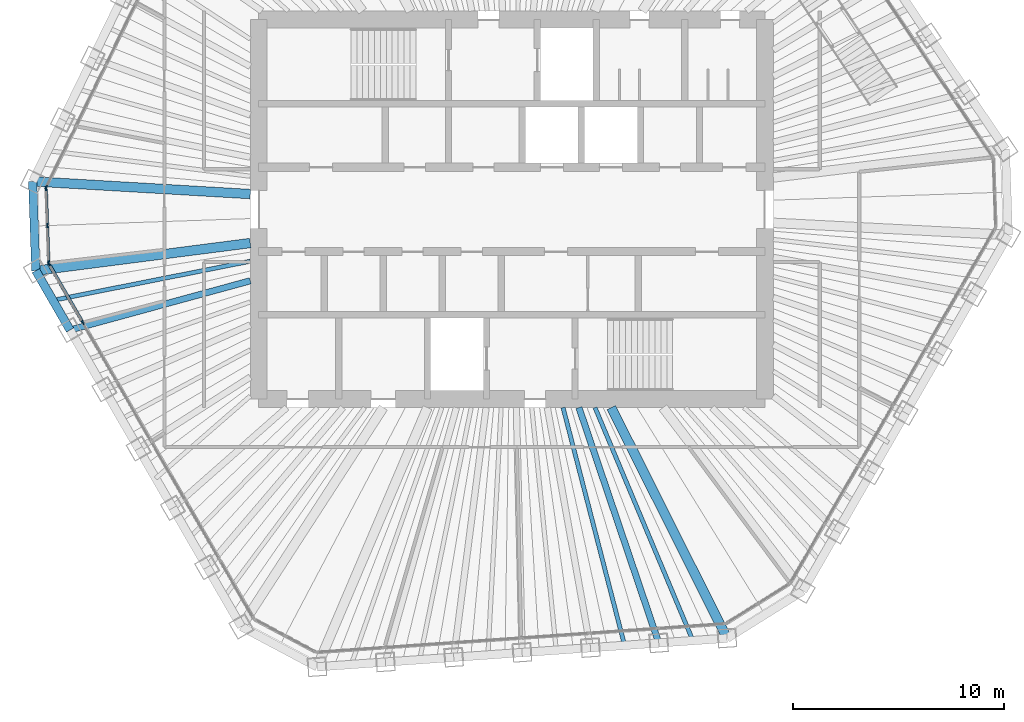
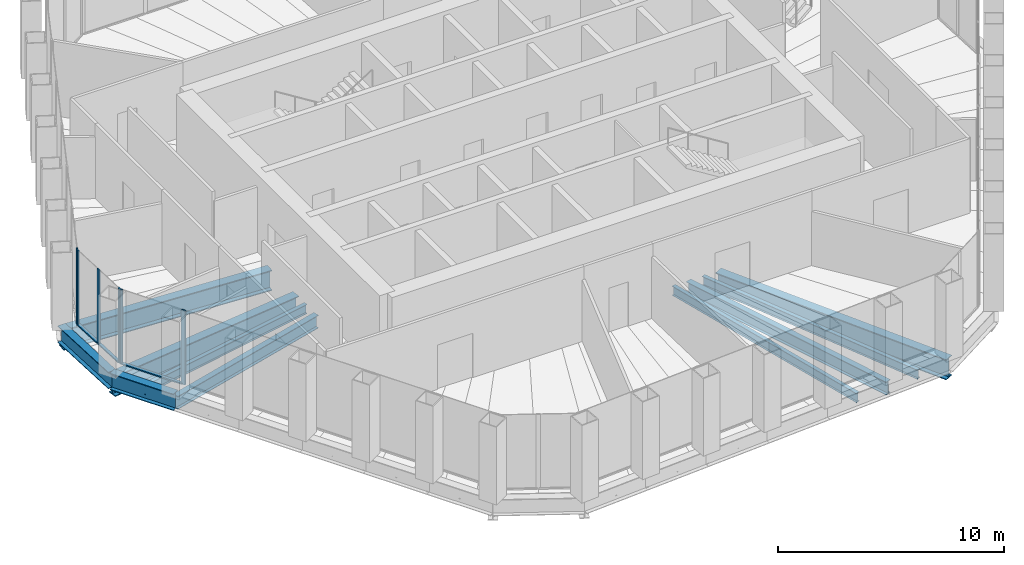
# One storey, part 3 of 14: 10 beams, 9 members, 3 elements without a shape of their own.
"""IFC4 building model written with IfcOpenShell, lengths in metres."""

from ifc_helpers import new_model, si_unit, direction, frame, origin, origin_2d, place, context, subcontext, project, spatial, rectangle, i_section, extrude, material, material_profile, profile_set, type_object, element, aggregate, save


model = new_model("IFC4")

# Units and contexts
model_context = context("Model", 3, precision=1e-05, world=origin(), true_north=direction((0.0, 1.0)))
body_context = subcontext(model_context, "Body", "Model", "MODEL_VIEW")
ifc_project = project(units=[si_unit("LENGTHUNIT", "METRE"), si_unit("AREAUNIT", "SQUARE_METRE"), si_unit("VOLUMEUNIT", "CUBIC_METRE"), si_unit("PLANEANGLEUNIT", "RADIAN"), si_unit("MASSUNIT", "GRAM", prefix="KILO")], contexts=[model_context])

# Site, building, storey
site_placement = place(None, origin())
site = spatial("IfcSite", under=ifc_project, at=site_placement, CompositionType="ELEMENT")
building_placement = place(site_placement, origin())
building = spatial("IfcBuilding", under=site, at=building_placement, Name="Qingtian Harvest Tower", CompositionType="ELEMENT")
storey_placement = place(building_placement, frame((0.0, 0.0, 325.0)))
storey = spatial("IfcBuildingStorey", under=building, at=storey_placement, Name="L72", CompositionType="ELEMENT", Elevation=325.0)

# Beams
ifc_material_1 = material(Name="Steel SM570MC", Category="steel")
ifc_material_profile_1 = material_profile(ifc_material_1, i_section(OverallWidth=0.449951171875, OverallDepth=1.10009765625, WebThickness=0.02197265625, FlangeThickness=0.044921875, at=origin_2d()), Name="H1100x450x22x45")
ifc_profile_set_1 = profile_set([ifc_material_profile_1], Name="Steel SM570MC")
beam_type_1 = type_object("IfcBeamType", Name="Corner floor beam FB8 H1100x450x22x45", PredefinedType="BEAM", material=ifc_profile_set_1)
beam_1_placement = place(storey_placement, frame((10.20947265625, -20.33740234375, -0.719970703125), z_axis=(-0.448649335107, 0.893707879627, 0.0), x_axis=(-0.893707879627, -0.448649335107, 0.0)))
element("IfcBeam", 1, at=beam_1_placement, inside=storey, type_object=beam_type_1, Name="Floor beam FB8 S0", PredefinedType="BEAM", context=body_context, shape_type="SweptSolid", body=[
    extrude(i_section(OverallWidth=0.449951171875, OverallDepth=1.10009765625, WebThickness=0.02197265625, FlangeThickness=0.044921875, at=origin_2d()), origin(), (0.0, 0.0, 1.0), 12.23828125),
])
beam_2_placement = place(storey_placement, frame((-22.569580078125, -2.908447265625, -0.719970703125), z_axis=(0.991798519758, 0.127811174026, 0.0), x_axis=(-0.127811174026, 0.991798519758, 0.0)))
element("IfcBeam", 2, at=beam_2_placement, inside=storey, type_object=beam_type_1, Name="Floor beam FB8 SW6", PredefinedType="BEAM", context=body_context, shape_type="SweptSolid", body=[
    extrude(i_section(OverallWidth=0.449951171875, OverallDepth=1.10009765625, WebThickness=0.02197265625, FlangeThickness=0.044921875, at=origin_2d()), origin(), (0.0, 0.0, 1.0), 10.253662109375),
])
beam_3_placement = place(storey_placement, frame((-22.71728515625, 1.3271484375, -0.719970703125), z_axis=(0.998297672445, -0.058324584791, 0.0), x_axis=(0.058324584791, 0.998297672445, 0.0)))
element("IfcBeam", 3, at=beam_3_placement, inside=storey, type_object=beam_type_1, Name="Floor beam FB8 NW0", PredefinedType="BEAM", context=body_context, shape_type="SweptSolid", body=[
    extrude(i_section(OverallWidth=0.449951171875, OverallDepth=1.10009765625, WebThickness=0.02197265625, FlangeThickness=0.044921875, at=origin_2d()), origin(), (0.0, 0.0, 1.0), 10.3349609375),
])
ifc_material_2 = material(Name="Steel SN490B", Category="steel")
ifc_material_profile_2 = material_profile(ifc_material_2, i_section(OverallWidth=0.300048828125, OverallDepth=0.699951171875, WebThickness=0.012939453125, FlangeThickness=0.02392578125, at=origin_2d()), Name="H700x300x13x24")
ifc_profile_set_2 = profile_set([ifc_material_profile_2], Name="Steel SN490B")
beam_type_2 = type_object("IfcBeamType", Name="Floor beam FB4 H700x300x13x24", PredefinedType="BEAM", material=ifc_profile_set_2)
beam_4_placement = place(storey_placement, frame((6.96923828125, -20.56396484375, -0.52001953125), z_axis=(-0.320964658262, 0.947091172035, 0.0), x_axis=(-0.947091172035, -0.320964658262, 0.0)))
element("IfcBeam", 4, at=beam_4_placement, inside=storey, type_object=beam_type_2, Name="Floor beam FB4 S1", PredefinedType="BEAM", context=body_context, shape_type="SweptSolid", body=[
    extrude(i_section(OverallWidth=0.300048828125, OverallDepth=0.699951171875, WebThickness=0.012939453125, FlangeThickness=0.02392578125, at=origin_2d()), origin(), (0.0, 0.0, 1.0), 11.787841796875),
])
beam_5_placement = place(storey_placement, frame((-20.945556640625, -5.721435546875, -0.52001953125), z_axis=(0.96466071762, 0.26349516102, 0.0), x_axis=(-0.26349516102, 0.96466071762, 0.0)))
element("IfcBeam", 5, at=beam_5_placement, inside=storey, type_object=beam_type_2, Name="Floor beam FB4 SW5", PredefinedType="BEAM", context=body_context, shape_type="SweptSolid", body=[
    extrude(i_section(OverallWidth=0.300048828125, OverallDepth=0.699951171875, WebThickness=0.012939453125, FlangeThickness=0.02392578125, at=origin_2d()), origin(), (0.0, 0.0, 1.0), 8.858642578125),
])
ifc_material_3 = material(Name="Steel SN490B", Category="steel")
ifc_material_profile_3 = material_profile(ifc_material_3, i_section(OverallWidth=0.199951171875, OverallDepth=0.5, WebThickness=0.010009765625, FlangeThickness=0.01611328125, at=origin_2d()), Name="H500x200x10x16")
ifc_profile_set_3 = profile_set([ifc_material_profile_3], Name="Steel SN490B")
beam_type_3 = type_object("IfcBeamType", Name="Floor joist J3 H500x200x10x16", PredefinedType="JOIST", material=ifc_profile_set_3)
beam_6_placement = place(storey_placement, frame((8.58935546875, -20.45068359375, -0.419921875), z_axis=(-0.387234562114, 0.921981232946, 0.0), x_axis=(-0.921981232946, -0.387234562114, 0.0)))
element("IfcBeam", 6, at=beam_6_placement, inside=storey, type_object=beam_type_3, Name="Floor joist J3 S0", PredefinedType="JOIST", context=body_context, shape_type="SweptSolid", body=[
    extrude(i_section(OverallWidth=0.199951171875, OverallDepth=0.5, WebThickness=0.010009765625, FlangeThickness=0.01611328125, at=origin_2d()), origin(), (0.0, 0.0, 1.0), 11.98583984375),
])
beam_7_placement = place(storey_placement, frame((5.349365234375, -20.67724609375, -0.419921875), z_axis=(-0.250457336117, 0.968127637652, 0.0), x_axis=(-0.968127637652, -0.250457336117, 0.0)))
element("IfcBeam", 7, at=beam_7_placement, inside=storey, type_object=beam_type_3, Name="Floor joist J3 S1", PredefinedType="JOIST", context=body_context, shape_type="SweptSolid", body=[
    extrude(i_section(OverallWidth=0.199951171875, OverallDepth=0.5, WebThickness=0.010009765625, FlangeThickness=0.01611328125, at=origin_2d()), origin(), (0.0, 0.0, 1.0), 11.648681640625),
])
beam_8_placement = place(storey_placement, frame((-21.757568359375, -4.31494140625, -0.419921875), z_axis=(0.980898289228, 0.194521325796, 0.0), x_axis=(-0.194521325796, 0.980898289228, 0.0)))
element("IfcBeam", 8, at=beam_8_placement, inside=storey, type_object=beam_type_3, Name="Floor joist J3 SW5", PredefinedType="JOIST", context=body_context, shape_type="SweptSolid", body=[
    extrude(i_section(OverallWidth=0.199951171875, OverallDepth=0.5, WebThickness=0.010009765625, FlangeThickness=0.01611328125, at=origin_2d()), origin(), (0.0, 0.0, 1.0), 9.539794921875),
])

# Curtain wall, members
ifc_material_4 = material(Name="Bronze-anodised aluminium curtain wall", Category="aluminium")
curtain_wall_type = type_object("IfcCurtainWallType", Name="Curtain wall CW6 executive floors", PredefinedType="USERDEFINED", material=ifc_material_4)
curtain_wall_1_placement = place(storey_placement, origin())
curtain_wall_1 = element("IfcCurtainWall", 9, at=curtain_wall_1_placement, inside=storey, type_object=curtain_wall_type, Name="Curtain wall CW6 L72 SW0-5", ObjectType="RECESSED CURTAIN WALL", PredefinedType="USERDEFINED")
ifc_material_5 = material(Name="Bronze-anodised aluminium mullion", Category="aluminium")
ifc_material_profile_4 = material_profile(ifc_material_5, rectangle(XDim=0.06494140625, YDim=0.199951171875, at=origin_2d()), Name="AL 65x200")
ifc_profile_set_4 = profile_set([ifc_material_profile_4], Name="Bronze-anodised aluminium mullion")
member_type_1 = type_object("IfcMemberType", Name="Mullion CWM 65x200", PredefinedType="MULLION", material=ifc_profile_set_4)
member_1_placement = place(storey_placement, frame((-20.33935546875, -5.371337890625, 0.0), z_axis=(0.0, 0.0, 1.0), x_axis=(-0.866025403784, -0.5, 0.0)))
member_1 = element("IfcMember", 10, at=member_1_placement, type_object=member_type_1, Name="CW6 mullion 6", PredefinedType="MULLION", context=body_context, shape_type="SweptSolid", body=[
    extrude(rectangle(XDim=0.06494140625, YDim=0.199951171875, at=origin_2d()), origin(), (0.0, 0.0, 1.0), 4.030029296875),
])
member_2_placement = place(storey_placement, frame((-21.947021484375, -2.586669921875, 0.0), z_axis=(0.0, 0.0, 1.0), x_axis=(-0.866025403784, -0.5, 0.0)))
member_2 = element("IfcMember", 11, at=member_2_placement, type_object=member_type_1, Name="CW6 mullion 7", PredefinedType="MULLION", context=body_context, shape_type="SweptSolid", body=[
    extrude(rectangle(XDim=0.06494140625, YDim=0.199951171875, at=origin_2d()), origin(), (0.0, 0.0, 1.0), 4.030029296875),
])

curtain_wall_2_placement = place(storey_placement, origin())
curtain_wall_2 = element("IfcCurtainWall", 12, at=curtain_wall_2_placement, inside=storey, type_object=curtain_wall_type, Name="Curtain wall CW6 L72 SWC", ObjectType="RECESSED CURTAIN WALL", PredefinedType="USERDEFINED")
member_3_placement = place(storey_placement, frame((-21.96435546875, -2.526123046875, 0.0), z_axis=(0.0, 0.0, 1.0), x_axis=(-0.999390827019, -0.034899496703, 0.0)))
member_3 = element("IfcMember", 13, at=member_3_placement, type_object=member_type_1, Name="CW6 mullion 1", PredefinedType="MULLION", context=body_context, shape_type="SweptSolid", body=[
    extrude(rectangle(XDim=0.06494140625, YDim=0.199951171875, at=origin_2d()), origin(), (0.0, 0.0, 1.0), 4.030029296875),
])
member_4_placement = place(storey_placement, frame((-22.025634765625, -0.76904296875, 0.0), z_axis=(0.0, 0.0, 1.0), x_axis=(-0.999390827019, -0.034899496703, 0.0)))
member_4 = element("IfcMember", 14, at=member_4_placement, type_object=member_type_1, Name="CW6 mullion 2", PredefinedType="MULLION", context=body_context, shape_type="SweptSolid", body=[
    extrude(rectangle(XDim=0.06494140625, YDim=0.199951171875, at=origin_2d()), origin(), (0.0, 0.0, 1.0), 4.030029296875),
])
member_5_placement = place(storey_placement, frame((-22.087158203125, 0.98779296875, 0.0), z_axis=(0.0, 0.0, 1.0), x_axis=(-0.999390827019, -0.034899496703, 0.0)))
member_5 = element("IfcMember", 15, at=member_5_placement, type_object=member_type_1, Name="CW6 mullion 3", PredefinedType="MULLION", context=body_context, shape_type="SweptSolid", body=[
    extrude(rectangle(XDim=0.06494140625, YDim=0.199951171875, at=origin_2d()), origin(), (0.0, 0.0, 1.0), 4.030029296875),
])

# Curtain wall, member
curtain_wall_3_placement = place(storey_placement, origin())
curtain_wall_3 = element("IfcCurtainWall", 16, at=curtain_wall_3_placement, inside=storey, type_object=curtain_wall_type, Name="Curtain wall CW6 L72 NW0-5", ObjectType="RECESSED CURTAIN WALL", PredefinedType="USERDEFINED")
member_6_placement = place(storey_placement, frame((-22.073974609375, 1.04931640625, 0.0), z_axis=(0.0, 0.0, 1.0), x_axis=(-0.898794046299, 0.438371146789, 0.0)))
member_6 = element("IfcMember", 17, at=member_6_placement, type_object=member_type_1, Name="CW6 mullion 1", PredefinedType="MULLION", context=body_context, shape_type="SweptSolid", body=[
    extrude(rectangle(XDim=0.06494140625, YDim=0.199951171875, at=origin_2d()), origin(), (0.0, 0.0, 1.0), 4.030029296875),
])
aggregate(curtain_wall_3, [member_6])

# Beams
ifc_material_6 = material(Name="Steel SN490B", Category="steel")
ifc_material_profile_5 = material_profile(ifc_material_6, i_section(OverallWidth=0.39990234375, OverallDepth=0.89990234375, WebThickness=0.01904296875, FlangeThickness=0.035888671875, at=origin_2d()), Name="H900x400x19x36")
ifc_profile_set_5 = profile_set([ifc_material_profile_5], Name="Steel SN490B")
beam_type_4 = type_object("IfcBeamType", Name="Spandrel beam SB4 H900x400x19x36", PredefinedType="SPANDREL", material=ifc_profile_set_5)
beam_9_placement = place(storey_placement, frame((-20.945556640625, -5.721435546875, -0.449951171875), z_axis=(-0.499987045439, 0.866032882975, 0.0), x_axis=(-0.866032882975, -0.499987045439, 0.0)))
element("IfcBeam", 18, at=beam_9_placement, inside=storey, type_object=beam_type_4, Name="Spandrel SB4 SW5", PredefinedType="SPANDREL", context=body_context, shape_type="SweptSolid", body=[
    extrude(i_section(OverallWidth=0.39990234375, OverallDepth=0.89990234375, WebThickness=0.01904296875, FlangeThickness=0.035888671875, at=origin_2d()), origin(), (0.0, 0.0, 1.0), 3.248046875),
])
beam_10_placement = place(storey_placement, frame((-22.569580078125, -2.908447265625, -0.449951171875), z_axis=(-0.034851142499, 0.999392514414, 0.0), x_axis=(-0.999392514414, -0.034851142499, 0.0)))
element("IfcBeam", 19, at=beam_10_placement, inside=storey, type_object=beam_type_4, Name="Spandrel SB4 SWC", PredefinedType="SPANDREL", context=body_context, shape_type="SweptSolid", body=[
    extrude(i_section(OverallWidth=0.39990234375, OverallDepth=0.89990234375, WebThickness=0.01904296875, FlangeThickness=0.035888671875, at=origin_2d()), origin(), (0.0, 0.0, 1.0), 4.23828125),
])

# Member
ifc_material_7 = material(Name="Bronze-anodised aluminium transom", Category="aluminium")
ifc_material_profile_6 = material_profile(ifc_material_7, rectangle(XDim=0.14990234375, YDim=0.06494140625, at=origin_2d()), Name="AL 65x150")
ifc_profile_set_6 = profile_set([ifc_material_profile_6], Name="Bronze-anodised aluminium transom")
member_type_2 = type_object("IfcMemberType", Name="Transom CWT 65x150", PredefinedType="USERDEFINED", material=ifc_profile_set_6)
member_7_placement = place(storey_placement, frame((-20.35546875, -5.34326171875, 0.032470703125), z_axis=(-0.499972881236, 0.866041060244, 0.0), x_axis=(-0.866041060244, -0.499972881236, 0.0)))
member_7 = element("IfcMember", 20, at=member_7_placement, type_object=member_type_2, Name="CW6 transom 6.1", ObjectType="TRANSOM", PredefinedType="USERDEFINED", context=body_context, shape_type="SweptSolid", body=[
    extrude(rectangle(XDim=0.14990234375, YDim=0.06494140625, at=origin_2d()), origin(), (0.0, 0.0, 1.0), 3.150634765625),
])

aggregate(curtain_wall_1, [member_1, member_2, member_7])

member_8_placement = place(storey_placement, frame((-21.965576171875, -2.49365234375, 0.032470703125), z_axis=(-0.034899362377, 0.99939083171, 0.0), x_axis=(-0.99939083171, -0.034899362377, 0.0)))
member_8 = element("IfcMember", 21, at=member_8_placement, type_object=member_type_2, Name="CW6 transom 1.1", ObjectType="TRANSOM", PredefinedType="USERDEFINED", context=body_context, shape_type="SweptSolid", body=[
    extrude(rectangle(XDim=0.14990234375, YDim=0.06494140625, at=origin_2d()), origin(), (0.0, 0.0, 1.0), 1.69287109375),
])

member_9_placement = place(storey_placement, frame((-22.02685546875, -0.736572265625, 0.032470703125), z_axis=(-0.034899362377, 0.99939083171, 0.0), x_axis=(-0.99939083171, -0.034899362377, 0.0)))
member_9 = element("IfcMember", 22, at=member_9_placement, type_object=member_type_2, Name="CW6 transom 2.1", ObjectType="TRANSOM", PredefinedType="USERDEFINED", context=body_context, shape_type="SweptSolid", body=[
    extrude(rectangle(XDim=0.14990234375, YDim=0.06494140625, at=origin_2d()), origin(), (0.0, 0.0, 1.0), 1.69287109375),
])

aggregate(curtain_wall_2, [member_3, member_4, member_5, member_8, member_9])

save(model, "model.ifc")
